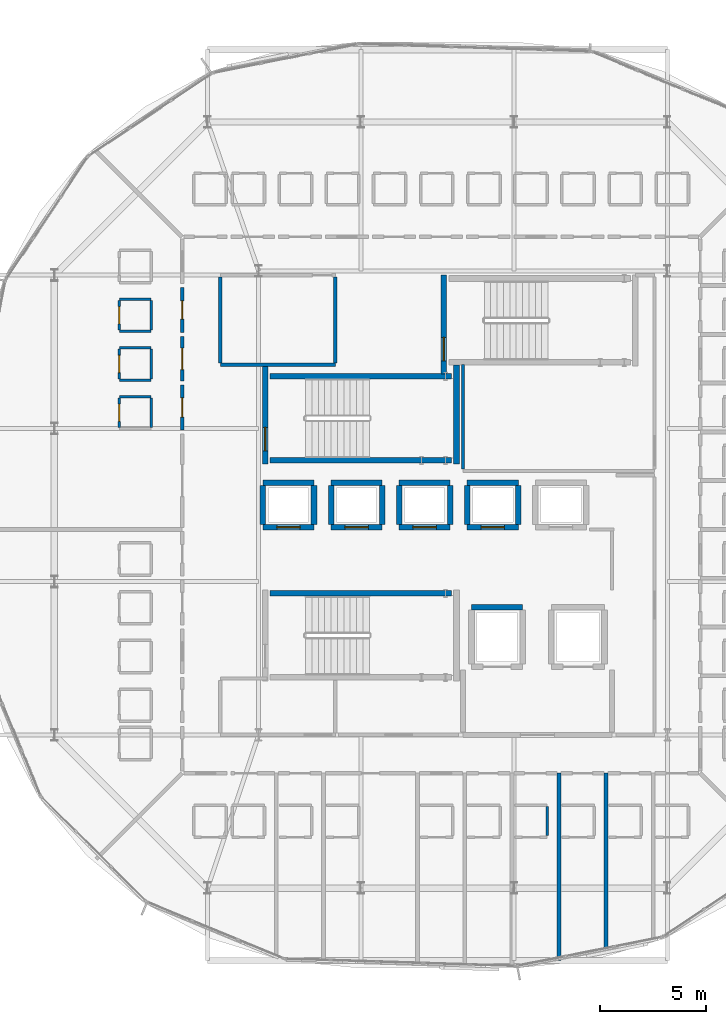
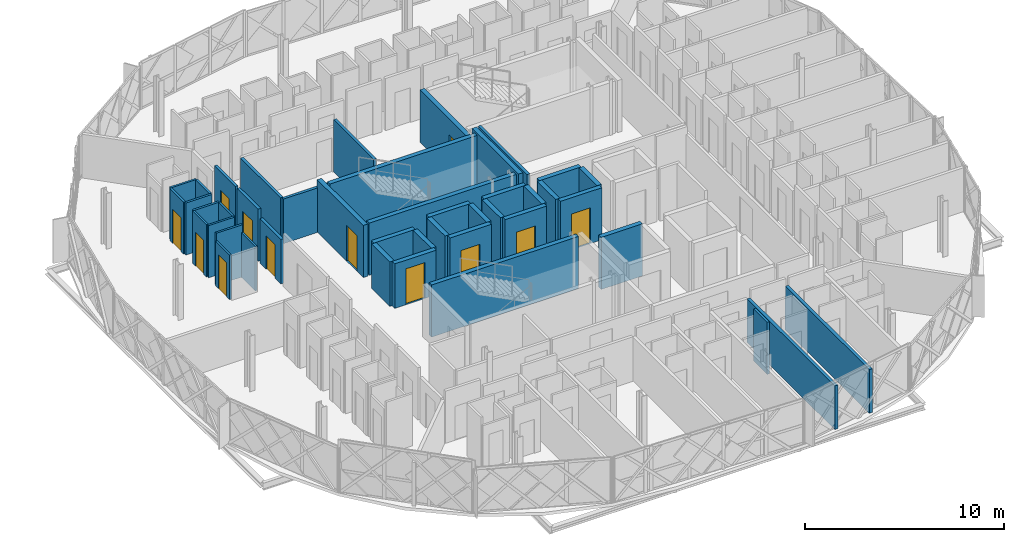
# One storey, part 40 of 50: 44 walls, 12 doors, 12 openings.
"""IFC4 building model written with IfcOpenShell, lengths in metres."""

from ifc_helpers import new_model, si_unit, direction, frame, frame_2d, origin, place, context, subcontext, project, spatial, rectangle, extrude, material, layer, layer_set, type_object, element, fill, save


model = new_model("IFC4")

# Units and contexts
model_context = context("Model", 3, precision=1e-05, world=origin(), true_north=direction((0.0, 1.0)))
body_context = subcontext(model_context, "Body", "Model", "MODEL_VIEW")
ifc_project = project(units=[si_unit("LENGTHUNIT", "METRE"), si_unit("AREAUNIT", "SQUARE_METRE"), si_unit("VOLUMEUNIT", "CUBIC_METRE"), si_unit("PLANEANGLEUNIT", "RADIAN"), si_unit("MASSUNIT", "GRAM", prefix="KILO")], contexts=[model_context])

# Site, building, storey
site_placement = place(None, origin())
site = spatial("IfcSite", under=ifc_project, at=site_placement, CompositionType="ELEMENT")
building_placement = place(site_placement, origin())
building = spatial("IfcBuilding", under=site, at=building_placement, Name="Zevrakil Square Congress Hotel", CompositionType="ELEMENT")
storey_placement = place(building_placement, frame((0.0, 0.0, 21.5)))
storey = spatial("IfcBuildingStorey", under=building, at=storey_placement, Name="L06", CompositionType="ELEMENT", Elevation=21.5)

# Walls
ifc_material_1 = material(Name="Gypsum Acoustic Stud Partition")
ifc_layer_1 = layer(ifc_material_1, 0.159912109375)
ifc_layer_set_1 = layer_set([ifc_layer_1], Name="Gypsum Acoustic Stud Partition")
wall_type_1 = type_object("IfcWallType", Name="WAL-CORR-160", PredefinedType="PARTITIONING", material=ifc_layer_set_1)
wall_1_placement = place(storey_placement, frame((135.0, 34.199951171875, 0.0), z_axis=(0.0, 0.0, 1.0), x_axis=(1.0, 0.0, 0.0)))
element("IfcWall", 1, at=wall_1_placement, inside=storey, type_object=wall_type_1, Name="L06 interior partition PW-L06-0695", PredefinedType="PARTITIONING", context=body_context, shape_type="SweptSolid", body=[
    extrude(rectangle(XDim=5.39990234375, YDim=0.159912109375, at=frame_2d((2.699951171875, 0.0))), origin(), (0.0, 0.0, 1.0), 2.72998046875),
])
wall_2_placement = place(storey_placement, frame((135.0, 34.284912109375, 0.0), z_axis=(0.0, 0.0, 1.0), x_axis=(0.0, 1.0, 0.0)))
element("IfcWall", 2, at=wall_2_placement, inside=storey, type_object=wall_type_1, Name="L06 interior partition PW-L06-0697", PredefinedType="PARTITIONING", context=body_context, shape_type="SweptSolid", body=[
    extrude(rectangle(XDim=4.030029296875, YDim=0.159912109375, at=frame_2d((2.01513671875, 0.0))), origin(), (0.0, 0.0, 1.0), 2.72998046875),
])
wall_3_placement = place(storey_placement, frame((140.39990234375, 34.284912109375, 0.0), z_axis=(0.0, 0.0, 1.0), x_axis=(0.0, 1.0, 0.0)))
element("IfcWall", 3, at=wall_3_placement, inside=storey, type_object=wall_type_1, Name="L06 interior partition PW-L06-0698", PredefinedType="PARTITIONING", context=body_context, shape_type="SweptSolid", body=[
    extrude(rectangle(XDim=4.030029296875, YDim=0.159912109375, at=frame_2d((2.01513671875, 0.0))), origin(), (0.0, 0.0, 1.0), 3.195068359375),
])
wall_4_placement = place(storey_placement, frame((146.39990234375, 29.284912109375, 0.0), z_axis=(0.0, 0.0, 1.0), x_axis=(0.0, 1.0, 0.0)))
element("IfcWall", 4, at=wall_4_placement, inside=storey, type_object=wall_type_1, Name="L06 interior partition PW-L06-0700", PredefinedType="PARTITIONING", context=body_context, shape_type="SweptSolid", body=[
    extrude(rectangle(XDim=4.9150390625, YDim=0.159912109375, at=frame_2d((2.45751953125, 0.0))), origin(), (0.0, 0.0, 1.0), 3.195068359375),
])

# Wall, opening, door
wall_5_placement = place(storey_placement, frame((133.199951171875, 35.713134765625, 0.0), z_axis=(0.0, 0.0, 1.0), x_axis=(0.0, 1.0, 0.0)))
wall_5 = element("IfcWall", 5, at=wall_5_placement, inside=storey, type_object=wall_type_1, Name="L06 interior partition PW-L06-0878", PredefinedType="PARTITIONING", context=body_context, shape_type="SweptSolid", body=[
    extrude(rectangle(XDim=2.10107421875, YDim=0.159912109375, at=frame_2d((1.050537109375, 0.0))), origin(), (0.0, 0.0, 1.0), 3.195068359375),
])
opening_1_placement = place(wall_5_placement, frame((0.623046875, 0.0, 0.0)))
opening_1 = element("IfcOpeningElement", 6, at=opening_1_placement, cuts=wall_5, Name="Opening ID-G01", PredefinedType="OPENING", context=body_context, shape_type="SweptSolid", body=[
    extrude(rectangle(XDim=0.85498046875, YDim=2.050048828125, at=frame_2d((0.427490234375, 1.02490234375))), frame((0.0, 0.08984375, 0.0), z_axis=(0.0, -1.0, 0.0), x_axis=(1.0, 0.0, 0.0)), (0.0, 0.0, 1.0), 0.179931640625),
])
ifc_material_2 = material(Name="Acoustic Timber Fire Door", Category="wood")
door_type_1 = type_object("IfcDoorType", Name="DOR-INT-G01", OperationType="NOTDEFINED", PredefinedType="DOOR", material=ifc_material_2)
door_1_placement = place(opening_1_placement, origin())
door_1 = element("IfcDoor", 7, at=door_1_placement, inside=storey, type_object=door_type_1, Name="L06 interior door 347", OperationType="SINGLE_SWING_LEFT", OverallHeight=2.050048828125, OverallWidth=0.85498046875, PredefinedType="DOOR", context=body_context, shape_type="SweptSolid", body=[
    extrude(rectangle(XDim=0.85498046875, YDim=2.050048828125, at=frame_2d((0.427490234375, 1.02490234375))), frame((0.0, 0.02490234375, 0.0), z_axis=(0.0, -1.0, 0.0), x_axis=(1.0, 0.0, 0.0)), (0.0, 0.0, 1.0), 0.050048828125),
])
fill(opening_1, door_1)

wall_6_placement = place(storey_placement, frame((133.199951171875, 33.42236328125, 0.0), z_axis=(0.0, 0.0, 1.0), x_axis=(0.0, 1.0, 0.0)))
wall_6 = element("IfcWall", 8, at=wall_6_placement, inside=storey, type_object=wall_type_1, Name="L06 interior partition PW-L06-0883", PredefinedType="PARTITIONING", context=body_context, shape_type="SweptSolid", body=[
    extrude(rectangle(XDim=2.100830078125, YDim=0.159912109375, at=frame_2d((1.05029296875, 0.0))), origin(), (0.0, 0.0, 1.0), 3.195068359375),
])
opening_2_placement = place(wall_6_placement, frame((0.54638671875, 0.0, 0.0)))
opening_2 = element("IfcOpeningElement", 9, at=opening_2_placement, cuts=wall_6, Name="Opening ID-H14", PredefinedType="OPENING", context=body_context, shape_type="SweptSolid", body=[
    extrude(rectangle(XDim=1.008056640625, YDim=2.1298828125, at=frame_2d((0.50390625, 1.06494140625))), frame((0.0, 0.08984375, 0.0), z_axis=(0.0, -1.0, 0.0), x_axis=(1.0, 0.0, 0.0)), (0.0, 0.0, 1.0), 0.179931640625),
])
ifc_material_3 = material(Name="Acoustic Timber Fire Door", Category="wood")
door_type_2 = type_object("IfcDoorType", Name="DOR-INT-H14", OperationType="NOTDEFINED", PredefinedType="DOOR", material=ifc_material_3)
door_2_placement = place(opening_2_placement, origin())
door_2 = element("IfcDoor", 10, at=door_2_placement, inside=storey, type_object=door_type_2, Name="L06 interior door 349", OperationType="SINGLE_SWING_LEFT", OverallHeight=2.1298828125, OverallWidth=1.008056640625, PredefinedType="DOOR", context=body_context, shape_type="SweptSolid", body=[
    extrude(rectangle(XDim=1.008056640625, YDim=2.1298828125, at=frame_2d((0.50390625, 1.06494140625))), frame((0.0, 0.02490234375, 0.0), z_axis=(0.0, -1.0, 0.0), x_axis=(1.0, 0.0, 0.0)), (0.0, 0.0, 1.0), 0.050048828125),
])
fill(opening_2, door_2)

wall_7_placement = place(storey_placement, frame((133.199951171875, 31.13134765625, 0.0), z_axis=(0.0, 0.0, 1.0), x_axis=(0.0, 1.0, 0.0)))
wall_7 = element("IfcWall", 11, at=wall_7_placement, inside=storey, type_object=wall_type_1, Name="L06 interior partition PW-L06-0888", PredefinedType="PARTITIONING", context=body_context, shape_type="SweptSolid", body=[
    extrude(rectangle(XDim=2.10107421875, YDim=0.159912109375, at=frame_2d((1.050537109375, 0.0))), origin(), (0.0, 0.0, 1.0), 2.72998046875),
])
opening_3_placement = place(wall_7_placement, frame((0.597900390625, 0.0, 0.0)))
opening_3 = element("IfcOpeningElement", 12, at=opening_3_placement, cuts=wall_7, Name="Opening ID-G03", PredefinedType="OPENING", context=body_context, shape_type="SweptSolid", body=[
    extrude(rectangle(XDim=0.905029296875, YDim=2.050048828125, at=frame_2d((0.45263671875, 1.02490234375))), frame((0.0, 0.08984375, 0.0), z_axis=(0.0, -1.0, 0.0), x_axis=(1.0, 0.0, 0.0)), (0.0, 0.0, 1.0), 0.179931640625),
])
ifc_material_4 = material(Name="Acoustic Timber Fire Door", Category="wood")
door_type_3 = type_object("IfcDoorType", Name="DOR-INT-G03", OperationType="NOTDEFINED", PredefinedType="DOOR", material=ifc_material_4)
door_3_placement = place(opening_3_placement, origin())
door_3 = element("IfcDoor", 13, at=door_3_placement, inside=storey, type_object=door_type_3, Name="L06 interior door 351", OperationType="SINGLE_SWING_LEFT", OverallHeight=2.050048828125, OverallWidth=0.905029296875, PredefinedType="DOOR", context=body_context, shape_type="SweptSolid", body=[
    extrude(rectangle(XDim=0.905029296875, YDim=2.050048828125, at=frame_2d((0.45263671875, 1.02490234375))), frame((0.0, 0.02490234375, 0.0), z_axis=(0.0, -1.0, 0.0), x_axis=(1.0, 0.0, 0.0)), (0.0, 0.0, 1.0), 0.050048828125),
])
fill(opening_3, door_3)

# Walls
ifc_material_5 = material(Name="Moisture-Resistant Gypsum Partition")
ifc_layer_2 = layer(ifc_material_5, 0.1201171875)
ifc_layer_set_2 = layer_set([ifc_layer_2], Name="Moisture-Resistant Gypsum Partition")
wall_type_2 = type_object("IfcWallType", Name="WAL-ENS-120", PredefinedType="PARTITIONING", material=ifc_layer_set_2)
wall_8_placement = place(storey_placement, frame((150.35546875, 12.06494140625, 0.0), z_axis=(0.0, 0.0, 1.0), x_axis=(0.0, 1.0, 0.0)))
element("IfcWall", 14, at=wall_8_placement, inside=storey, type_object=wall_type_2, Name="L06 interior partition PW-L06-0744", PredefinedType="PARTITIONING", context=body_context, shape_type="SweptSolid", body=[
    extrude(rectangle(XDim=1.3701171875, YDim=0.1201171875, at=frame_2d((0.68505859375, 0.0))), origin(), (0.0, 0.0, 1.0), 3.195068359375),
])
for number, where, z_axis, x_axis, name in (
    (15, (130.25, 35.75830078125, 0.0), (0.0, 0.0, 1.0), (1.0, 0.0, 0.0), "L06 interior partition PW-L06-0879"),
    (16, (130.25, 37.2783203125, 0.0), (0.0, 0.0, 1.0), (1.0, 0.0, 0.0), "L06 interior partition PW-L06-0880"),
):
    element("IfcWall", number, at=place(storey_placement, frame(where, z_axis=z_axis, x_axis=x_axis)), inside=storey, type_object=wall_type_2, Name=name, PredefinedType="PARTITIONING", context=body_context, shape_type="SweptSolid", body=[
        extrude(rectangle(XDim=1.5, YDim=0.1201171875, at=frame_2d((0.75, 0.0))), origin(), (0.0, 0.0, 1.0), 3.195068359375),
    ])

# Wall, opening, door
wall_9_placement = place(storey_placement, frame((130.25, 35.8232421875, 0.0), z_axis=(0.0, 0.0, 1.0), x_axis=(0.0, 1.0, 0.0)))
wall_9 = element("IfcWall", 17, at=wall_9_placement, inside=storey, type_object=wall_type_2, Name="L06 interior partition PW-L06-0881", PredefinedType="PARTITIONING", context=body_context, shape_type="SweptSolid", body=[
    extrude(rectangle(XDim=1.389892578125, YDim=0.1201171875, at=frame_2d((0.69482421875, 0.0))), origin(), (0.0, 0.0, 1.0), 3.195068359375),
])
opening_4_placement = place(wall_9_placement, frame((0.284912109375, 0.0, 0.0)))
opening_4 = element("IfcOpeningElement", 18, at=opening_4_placement, cuts=wall_9, Name="Opening ID-11", PredefinedType="OPENING", context=body_context, shape_type="SweptSolid", body=[
    extrude(rectangle(XDim=0.820068359375, YDim=2.080078125, at=frame_2d((0.41015625, 1.0400390625))), frame((0.0, 0.070068359375, 0.0), z_axis=(0.0, -1.0, 0.0), x_axis=(1.0, 0.0, 0.0)), (0.0, 0.0, 1.0), 0.14013671875),
])
ifc_material_6 = material(Name="Acoustic Timber Door", Category="wood")
door_type_4 = type_object("IfcDoorType", Name="DOR-INT-V01", OperationType="NOTDEFINED", PredefinedType="DOOR", material=ifc_material_6)
door_4_placement = place(opening_4_placement, origin())
door_4 = element("IfcDoor", 19, at=door_4_placement, inside=storey, type_object=door_type_4, Name="L06 interior door 348", OperationType="SINGLE_SWING_RIGHT", OverallHeight=2.080078125, OverallWidth=0.820068359375, PredefinedType="DOOR", context=body_context, shape_type="SweptSolid", body=[
    extrude(rectangle(XDim=0.820068359375, YDim=2.080078125, at=frame_2d((0.41015625, 1.0400390625))), frame((0.0, 0.02490234375, 0.0), z_axis=(0.0, -1.0, 0.0), x_axis=(1.0, 0.0, 0.0)), (0.0, 0.0, 1.0), 0.050048828125),
])
fill(opening_4, door_4)

# Walls
wall_10_placement = place(storey_placement, frame((131.75, 35.8232421875, 0.0), z_axis=(0.0, 0.0, 1.0), x_axis=(0.0, 1.0, 0.0)))
element("IfcWall", 20, at=wall_10_placement, inside=storey, type_object=wall_type_2, Name="L06 interior partition PW-L06-0882", PredefinedType="PARTITIONING", context=body_context, shape_type="SweptSolid", body=[
    extrude(rectangle(XDim=1.389892578125, YDim=0.1201171875, at=frame_2d((0.69482421875, 0.0))), origin(), (0.0, 0.0, 1.0), 3.195068359375),
])
for number, where, z_axis, x_axis, name in (
    (21, (130.25, 33.46728515625, 0.0), (0.0, 0.0, 1.0), (1.0, 0.0, 0.0), "L06 interior partition PW-L06-0884"),
    (22, (130.25, 34.9873046875, 0.0), (0.0, 0.0, 1.0), (1.0, 0.0, 0.0), "L06 interior partition PW-L06-0885"),
):
    element("IfcWall", number, at=place(storey_placement, frame(where, z_axis=z_axis, x_axis=x_axis)), inside=storey, type_object=wall_type_2, Name=name, PredefinedType="PARTITIONING", context=body_context, shape_type="SweptSolid", body=[
        extrude(rectangle(XDim=1.5, YDim=0.1201171875, at=frame_2d((0.75, 0.0))), origin(), (0.0, 0.0, 1.0), 3.195068359375),
    ])

# Wall, opening, door
wall_11_placement = place(storey_placement, frame((130.25, 33.5322265625, 0.0), z_axis=(0.0, 0.0, 1.0), x_axis=(0.0, 1.0, 0.0)))
wall_11 = element("IfcWall", 23, at=wall_11_placement, inside=storey, type_object=wall_type_2, Name="L06 interior partition PW-L06-0886", PredefinedType="PARTITIONING", context=body_context, shape_type="SweptSolid", body=[
    extrude(rectangle(XDim=1.39013671875, YDim=0.1201171875, at=frame_2d((0.695068359375, 0.0))), origin(), (0.0, 0.0, 1.0), 3.195068359375),
])
opening_5_placement = place(wall_11_placement, frame((0.284912109375, 0.0, 0.0)))
opening_5 = element("IfcOpeningElement", 24, at=opening_5_placement, cuts=wall_11, Name="Opening ID-11", PredefinedType="OPENING", context=body_context, shape_type="SweptSolid", body=[
    extrude(rectangle(XDim=0.820068359375, YDim=2.080078125, at=frame_2d((0.41015625, 1.0400390625))), frame((0.0, 0.070068359375, 0.0), z_axis=(0.0, -1.0, 0.0), x_axis=(1.0, 0.0, 0.0)), (0.0, 0.0, 1.0), 0.14013671875),
])
door_5_placement = place(opening_5_placement, origin())
door_5 = element("IfcDoor", 25, at=door_5_placement, inside=storey, type_object=door_type_4, Name="L06 interior door 350", OperationType="SINGLE_SWING_RIGHT", OverallHeight=2.080078125, OverallWidth=0.820068359375, PredefinedType="DOOR", context=body_context, shape_type="SweptSolid", body=[
    extrude(rectangle(XDim=0.820068359375, YDim=2.080078125, at=frame_2d((0.41015625, 1.0400390625))), frame((0.0, 0.02490234375, 0.0), z_axis=(0.0, -1.0, 0.0), x_axis=(1.0, 0.0, 0.0)), (0.0, 0.0, 1.0), 0.050048828125),
])
fill(opening_5, door_5)

# Walls
wall_12_placement = place(storey_placement, frame((131.75, 33.5322265625, 0.0), z_axis=(0.0, 0.0, 1.0), x_axis=(0.0, 1.0, 0.0)))
element("IfcWall", 26, at=wall_12_placement, inside=storey, type_object=wall_type_2, Name="L06 interior partition PW-L06-0887", PredefinedType="PARTITIONING", context=body_context, shape_type="SweptSolid", body=[
    extrude(rectangle(XDim=1.39013671875, YDim=0.1201171875, at=frame_2d((0.695068359375, 0.0))), origin(), (0.0, 0.0, 1.0), 3.195068359375),
])
wall_13_placement = place(storey_placement, frame((130.25, 32.6962890625, 0.0), z_axis=(0.0, 0.0, 1.0), x_axis=(1.0, 0.0, 0.0)))
element("IfcWall", 27, at=wall_13_placement, inside=storey, type_object=wall_type_2, Name="L06 interior partition PW-L06-0890", PredefinedType="PARTITIONING", context=body_context, shape_type="SweptSolid", body=[
    extrude(rectangle(XDim=1.5, YDim=0.1201171875, at=frame_2d((0.75, 0.0))), origin(), (0.0, 0.0, 1.0), 3.195068359375),
])

# Wall, opening, door
wall_14_placement = place(storey_placement, frame((130.25, 31.241455078125, 0.0), z_axis=(0.0, 0.0, 1.0), x_axis=(0.0, 1.0, 0.0)))
wall_14 = element("IfcWall", 28, at=wall_14_placement, inside=storey, type_object=wall_type_2, Name="L06 interior partition PW-L06-0891", PredefinedType="PARTITIONING", context=body_context, shape_type="SweptSolid", body=[
    extrude(rectangle(XDim=1.389892578125, YDim=0.1201171875, at=frame_2d((0.69482421875, 0.0))), origin(), (0.0, 0.0, 1.0), 2.72998046875),
])
opening_6_placement = place(wall_14_placement, frame((0.284912109375, 0.0, 0.0)))
opening_6 = element("IfcOpeningElement", 29, at=opening_6_placement, cuts=wall_14, Name="Opening ID-11", PredefinedType="OPENING", context=body_context, shape_type="SweptSolid", body=[
    extrude(rectangle(XDim=0.820068359375, YDim=2.080078125, at=frame_2d((0.41015625, 1.0400390625))), frame((0.0, 0.070068359375, 0.0), z_axis=(0.0, -1.0, 0.0), x_axis=(1.0, 0.0, 0.0)), (0.0, 0.0, 1.0), 0.14013671875),
])
door_6_placement = place(opening_6_placement, origin())
door_6 = element("IfcDoor", 30, at=door_6_placement, inside=storey, type_object=door_type_4, Name="L06 interior door 352", OperationType="SINGLE_SWING_RIGHT", OverallHeight=2.080078125, OverallWidth=0.820068359375, PredefinedType="DOOR", context=body_context, shape_type="SweptSolid", body=[
    extrude(rectangle(XDim=0.820068359375, YDim=2.080078125, at=frame_2d((0.41015625, 1.0400390625))), frame((0.0, 0.02490234375, 0.0), z_axis=(0.0, -1.0, 0.0), x_axis=(1.0, 0.0, 0.0)), (0.0, 0.0, 1.0), 0.050048828125),
])
fill(opening_6, door_6)

# Walls
wall_15_placement = place(storey_placement, frame((131.75, 31.241455078125, 0.0), z_axis=(0.0, 0.0, 1.0), x_axis=(0.0, 1.0, 0.0)))
element("IfcWall", 31, at=wall_15_placement, inside=storey, type_object=wall_type_2, Name="L06 interior partition PW-L06-0892", PredefinedType="PARTITIONING", context=body_context, shape_type="SweptSolid", body=[
    extrude(rectangle(XDim=1.389892578125, YDim=0.1201171875, at=frame_2d((0.69482421875, 0.0))), origin(), (0.0, 0.0, 1.0), 2.72998046875),
])
ifc_material_7 = material(Name="Gypsum Twin-Stud Party Partition")
ifc_layer_3 = layer(ifc_material_7, 0.179931640625)
ifc_layer_set_3 = layer_set([ifc_layer_3], Name="Gypsum Twin-Stud Party Partition")
wall_type_3 = type_object("IfcWallType", Name="WAL-PARTY-180", PredefinedType="PARTITIONING", material=ifc_layer_set_3)
wall_16_placement = place(storey_placement, frame((150.9091796875, 6.189697265625, 0.0), z_axis=(0.0, 0.0, 1.0), x_axis=(0.0, 1.0, 0.0)))
element("IfcWall", 32, at=wall_16_placement, inside=storey, type_object=wall_type_3, Name="L06 interior partition PW-L06-0745", PredefinedType="PARTITIONING", context=body_context, shape_type="SweptSolid", body=[
    extrude(rectangle(XDim=8.810302734375, YDim=0.179931640625, at=frame_2d((4.4052734375, 0.0))), origin(), (0.0, 0.0, 1.0), 2.679931640625),
])
wall_17_placement = place(storey_placement, frame((153.122802734375, 6.560302734375, 0.0), z_axis=(0.0, 0.0, 1.0), x_axis=(0.0, 1.0, 0.0)))
element("IfcWall", 33, at=wall_17_placement, inside=storey, type_object=wall_type_3, Name="L06 interior partition PW-L06-0750", PredefinedType="PARTITIONING", context=body_context, shape_type="SweptSolid", body=[
    extrude(rectangle(XDim=8.439697265625, YDim=0.179931640625, at=frame_2d((4.2197265625, 0.0))), origin(), (0.0, 0.0, 1.0), 2.679931640625),
])
ifc_material_8 = material(Name="Concrete C40/50", Category="concrete")
ifc_layer_4 = layer(ifc_material_8, 0.260009765625)
ifc_layer_set_4 = layer_set([ifc_layer_4], Name="Concrete C40/50")
wall_type_4 = type_object("IfcWallType", Name="WAL-SHAFT-260", PredefinedType="SHEAR", material=ifc_layer_set_4)
wall_18_placement = place(storey_placement, frame((137.340087890625, 23.445068359375, 0.0), z_axis=(0.0, 0.0, 1.0), x_axis=(1.0, 0.0, 0.0)))
element("IfcWall", 34, at=wall_18_placement, inside=storey, type_object=wall_type_4, Name="L06 ST01 stair shaft N wall", PredefinedType="SHEAR", context=body_context, shape_type="SweptSolid", body=[
    extrude(rectangle(XDim=8.52001953125, YDim=0.260009765625, at=frame_2d((4.260009765625, 0.0))), origin(), (0.0, 0.0, 1.0), 3.195068359375),
])

# Wall, opening, door
wall_19_placement = place(storey_placement, frame((137.10498046875, 29.5400390625, 0.0), z_axis=(0.0, 0.0, 1.0), x_axis=(0.0, 1.0, 0.0)))
wall_19 = element("IfcWall", 35, at=wall_19_placement, inside=storey, type_object=wall_type_4, Name="L06 ST02 stair shaft W wall", PredefinedType="SHEAR", context=body_context, shape_type="SweptSolid", body=[
    extrude(rectangle(XDim=4.635009765625, YDim=0.260009765625, at=frame_2d((2.3173828125, 0.0))), origin(), (0.0, 0.0, 1.0), 3.195068359375),
])
opening_7_placement = place(wall_19_placement, frame((0.610107421875, 0.0, 0.0)))
opening_7 = element("IfcOpeningElement", 36, at=opening_7_placement, cuts=wall_19, Name="Opening SD-ST02", PredefinedType="OPENING", context=body_context, shape_type="SweptSolid", body=[
    extrude(rectangle(XDim=1.10009765625, YDim=2.199951171875, at=frame_2d((0.550048828125, 1.10009765625))), frame((0.0, 0.14013671875, 0.0), z_axis=(0.0, -1.0, 0.0), x_axis=(1.0, 0.0, 0.0)), (0.0, 0.0, 1.0), 0.280029296875),
])
ifc_material_9 = material(Name="Steel S355 Fire-Rated Door", Category="steel")
door_type_5 = type_object("IfcDoorType", Name="DOR-STAIR-FD90-110", OperationType="NOTDEFINED", PredefinedType="DOOR", material=ifc_material_9)
door_7_placement = place(opening_7_placement, origin())
door_7 = element("IfcDoor", 37, at=door_7_placement, inside=storey, type_object=door_type_5, Name="L06 ST02 protected stair fire door", OperationType="SINGLE_SWING_LEFT", OverallHeight=2.199951171875, OverallWidth=1.10009765625, PredefinedType="DOOR", context=body_context, shape_type="SweptSolid", body=[
    extrude(rectangle(XDim=1.10009765625, YDim=2.199951171875, at=frame_2d((0.550048828125, 1.10009765625))), frame((0.0, 0.02490234375, 0.0), z_axis=(0.0, -1.0, 0.0), x_axis=(1.0, 0.0, 0.0)), (0.0, 0.0, 1.0), 0.050048828125),
])
fill(opening_7, door_7)

# Walls
wall_20_placement = place(storey_placement, frame((146.094970703125, 29.5400390625, 0.0), z_axis=(0.0, 0.0, 1.0), x_axis=(0.0, 1.0, 0.0)))
element("IfcWall", 38, at=wall_20_placement, inside=storey, type_object=wall_type_4, Name="L06 ST02 stair shaft E wall", PredefinedType="SHEAR", context=body_context, shape_type="SweptSolid", body=[
    extrude(rectangle(XDim=4.635009765625, YDim=0.260009765625, at=frame_2d((2.3173828125, 0.0))), origin(), (0.0, 0.0, 1.0), 3.195068359375),
])
for number, where, z_axis, x_axis, name in (
    (39, (137.340087890625, 29.705078125, 0.0), (0.0, 0.0, 1.0), (1.0, 0.0, 0.0), "L06 ST02 stair shaft S wall"),
    (40, (137.340087890625, 33.64501953125, 0.0), (0.0, 0.0, 1.0), (1.0, 0.0, 0.0), "L06 ST02 stair shaft N wall"),
):
    element("IfcWall", number, at=place(storey_placement, frame(where, z_axis=z_axis, x_axis=x_axis)), inside=storey, type_object=wall_type_4, Name=name, PredefinedType="SHEAR", context=body_context, shape_type="SweptSolid", body=[
        extrude(rectangle(XDim=8.52001953125, YDim=0.260009765625, at=frame_2d((4.260009765625, 0.0))), origin(), (0.0, 0.0, 1.0), 3.195068359375),
    ])

# Wall, opening, door
wall_21_placement = place(storey_placement, frame((145.5048828125, 33.764892578125, 0.0), z_axis=(0.0, 0.0, 1.0), x_axis=(0.0, 1.0, 0.0)))
wall_21 = element("IfcWall", 41, at=wall_21_placement, inside=storey, type_object=wall_type_4, Name="L06 ST03 stair shaft W wall", PredefinedType="SHEAR", context=body_context, shape_type="SweptSolid", body=[
    extrude(rectangle(XDim=4.64501953125, YDim=0.260009765625, at=frame_2d((2.322509765625, 0.0))), origin(), (0.0, 0.0, 1.0), 3.195068359375),
])
opening_8_placement = place(wall_21_placement, frame((0.610107421875, 0.0, 0.0)))
opening_8 = element("IfcOpeningElement", 42, at=opening_8_placement, cuts=wall_21, Name="Opening SD-ST03", PredefinedType="OPENING", context=body_context, shape_type="SweptSolid", body=[
    extrude(rectangle(XDim=1.10009765625, YDim=2.199951171875, at=frame_2d((0.550048828125, 1.10009765625))), frame((0.0, 0.14013671875, 0.0), z_axis=(0.0, -1.0, 0.0), x_axis=(1.0, 0.0, 0.0)), (0.0, 0.0, 1.0), 0.280029296875),
])
door_8_placement = place(opening_8_placement, origin())
door_8 = element("IfcDoor", 43, at=door_8_placement, inside=storey, type_object=door_type_5, Name="L06 ST03 protected stair fire door", OperationType="SINGLE_SWING_LEFT", OverallHeight=2.199951171875, OverallWidth=1.10009765625, PredefinedType="DOOR", context=body_context, shape_type="SweptSolid", body=[
    extrude(rectangle(XDim=1.10009765625, YDim=2.199951171875, at=frame_2d((0.550048828125, 1.10009765625))), frame((0.0, 0.02490234375, 0.0), z_axis=(0.0, -1.0, 0.0), x_axis=(1.0, 0.0, 0.0)), (0.0, 0.0, 1.0), 0.050048828125),
])
fill(opening_8, door_8)

wall_22_placement = place(storey_placement, frame((137.0, 26.550048828125, 0.0), z_axis=(0.0, 0.0, 1.0), x_axis=(1.0, 0.0, 0.0)))
wall_22 = element("IfcWall", 44, at=wall_22_placement, inside=storey, type_object=wall_type_4, Name="L06 HL1 lift shaft wall", PredefinedType="SHEAR", context=body_context, shape_type="SweptSolid", body=[
    extrude(rectangle(XDim=2.39990234375, YDim=0.260009765625, at=frame_2d((1.199951171875, 0.0))), origin(), (0.0, 0.0, 1.0), 2.72998046875),
])
opening_9_placement = place(wall_22_placement, frame((0.64990234375, 0.0, 0.0)))
opening_9 = element("IfcOpeningElement", 45, at=opening_9_placement, cuts=wall_22, Name="Opening LD-HL1", PredefinedType="OPENING", context=body_context, shape_type="SweptSolid", body=[
    extrude(rectangle(XDim=1.10009765625, YDim=2.199951171875, at=frame_2d((0.550048828125, 1.10009765625))), frame((0.0, 0.14013671875, 0.0), z_axis=(0.0, -1.0, 0.0), x_axis=(1.0, 0.0, 0.0)), (0.0, 0.0, 1.0), 0.280029296875),
])
ifc_material_10 = material(Name="Stainless Steel Sliding Lift Landing Door", Category="steel")
door_type_6 = type_object("IfcDoorType", Name="DOR-LIFT-LD110", OperationType="NOTDEFINED", PredefinedType="DOOR", material=ifc_material_10)
door_9_placement = place(opening_9_placement, origin())
door_9 = element("IfcDoor", 46, at=door_9_placement, inside=storey, type_object=door_type_6, Name="L06 HL1 sliding lift landing door", OperationType="SLIDING_TO_LEFT", OverallHeight=2.199951171875, OverallWidth=1.10009765625, PredefinedType="DOOR", context=body_context, shape_type="SweptSolid", body=[
    extrude(rectangle(XDim=1.10009765625, YDim=2.199951171875, at=frame_2d((0.550048828125, 1.10009765625))), frame((0.0, 0.02490234375, 0.0), z_axis=(0.0, -1.0, 0.0), x_axis=(1.0, 0.0, 0.0)), (0.0, 0.0, 1.0), 0.050048828125),
])
fill(opening_9, door_9)

# Walls
wall_23_placement = place(storey_placement, frame((137.0, 28.64990234375, 0.0), z_axis=(0.0, 0.0, 1.0), x_axis=(1.0, 0.0, 0.0)))
element("IfcWall", 47, at=wall_23_placement, inside=storey, type_object=wall_type_4, Name="L06 HL1 lift shaft wall", PredefinedType="SHEAR", context=body_context, shape_type="SweptSolid", body=[
    extrude(rectangle(XDim=2.39990234375, YDim=0.260009765625, at=frame_2d((1.199951171875, 0.0))), origin(), (0.0, 0.0, 1.0), 2.72998046875),
])
for number, where, z_axis, x_axis, name in (
    (48, (137.0, 26.68994140625, 0.0), (0.0, 0.0, 1.0), (0.0, 1.0, 0.0), "L06 HL1 lift shaft wall"),
    (49, (139.39990234375, 26.68994140625, 0.0), (0.0, 0.0, 1.0), (0.0, 1.0, 0.0), "L06 HL1 lift shaft wall"),
):
    element("IfcWall", number, at=place(storey_placement, frame(where, z_axis=z_axis, x_axis=x_axis)), inside=storey, type_object=wall_type_4, Name=name, PredefinedType="SHEAR", context=body_context, shape_type="SweptSolid", body=[
        extrude(rectangle(XDim=1.820068359375, YDim=0.260009765625, at=frame_2d((0.91015625, 0.0))), origin(), (0.0, 0.0, 1.0), 2.72998046875),
    ])

# Wall, opening, door
wall_24_placement = place(storey_placement, frame((140.199951171875, 26.550048828125, 0.0), z_axis=(0.0, 0.0, 1.0), x_axis=(1.0, 0.0, 0.0)))
wall_24 = element("IfcWall", 50, at=wall_24_placement, inside=storey, type_object=wall_type_4, Name="L06 HL2 lift shaft wall", PredefinedType="SHEAR", context=body_context, shape_type="SweptSolid", body=[
    extrude(rectangle(XDim=2.400146484375, YDim=0.260009765625, at=frame_2d((1.2001953125, 0.0))), origin(), (0.0, 0.0, 1.0), 3.195068359375),
])
opening_10_placement = place(wall_24_placement, frame((0.64990234375, 0.0, 0.0)))
opening_10 = element("IfcOpeningElement", 51, at=opening_10_placement, cuts=wall_24, Name="Opening LD-HL2", PredefinedType="OPENING", context=body_context, shape_type="SweptSolid", body=[
    extrude(rectangle(XDim=1.10009765625, YDim=2.199951171875, at=frame_2d((0.550048828125, 1.10009765625))), frame((0.0, 0.14013671875, 0.0), z_axis=(0.0, -1.0, 0.0), x_axis=(1.0, 0.0, 0.0)), (0.0, 0.0, 1.0), 0.280029296875),
])
door_10_placement = place(opening_10_placement, origin())
door_10 = element("IfcDoor", 52, at=door_10_placement, inside=storey, type_object=door_type_6, Name="L06 HL2 sliding lift landing door", OperationType="SLIDING_TO_RIGHT", OverallHeight=2.199951171875, OverallWidth=1.10009765625, PredefinedType="DOOR", context=body_context, shape_type="SweptSolid", body=[
    extrude(rectangle(XDim=1.10009765625, YDim=2.199951171875, at=frame_2d((0.550048828125, 1.10009765625))), frame((0.0, 0.02490234375, 0.0), z_axis=(0.0, -1.0, 0.0), x_axis=(1.0, 0.0, 0.0)), (0.0, 0.0, 1.0), 0.050048828125),
])
fill(opening_10, door_10)

# Walls
wall_25_placement = place(storey_placement, frame((140.199951171875, 28.64990234375, 0.0), z_axis=(0.0, 0.0, 1.0), x_axis=(1.0, 0.0, 0.0)))
element("IfcWall", 53, at=wall_25_placement, inside=storey, type_object=wall_type_4, Name="L06 HL2 lift shaft wall", PredefinedType="SHEAR", context=body_context, shape_type="SweptSolid", body=[
    extrude(rectangle(XDim=2.400146484375, YDim=0.260009765625, at=frame_2d((1.2001953125, 0.0))), origin(), (0.0, 0.0, 1.0), 3.195068359375),
])
for number, where, z_axis, x_axis, name in (
    (54, (140.199951171875, 26.68994140625, 0.0), (0.0, 0.0, 1.0), (0.0, 1.0, 0.0), "L06 HL2 lift shaft wall"),
    (55, (142.60009765625, 26.68994140625, 0.0), (0.0, 0.0, 1.0), (0.0, 1.0, 0.0), "L06 HL2 lift shaft wall"),
):
    element("IfcWall", number, at=place(storey_placement, frame(where, z_axis=z_axis, x_axis=x_axis)), inside=storey, type_object=wall_type_4, Name=name, PredefinedType="SHEAR", context=body_context, shape_type="SweptSolid", body=[
        extrude(rectangle(XDim=1.820068359375, YDim=0.260009765625, at=frame_2d((0.91015625, 0.0))), origin(), (0.0, 0.0, 1.0), 3.195068359375),
    ])

# Wall, opening, door
wall_26_placement = place(storey_placement, frame((143.39990234375, 26.550048828125, 0.0), z_axis=(0.0, 0.0, 1.0), x_axis=(1.0, 0.0, 0.0)))
wall_26 = element("IfcWall", 56, at=wall_26_placement, inside=storey, type_object=wall_type_4, Name="L06 HL3 lift shaft wall", PredefinedType="SHEAR", context=body_context, shape_type="SweptSolid", body=[
    extrude(rectangle(XDim=2.400146484375, YDim=0.260009765625, at=frame_2d((1.2001953125, 0.0))), origin(), (0.0, 0.0, 1.0), 3.195068359375),
])
opening_11_placement = place(wall_26_placement, frame((0.64990234375, 0.0, 0.0)))
opening_11 = element("IfcOpeningElement", 57, at=opening_11_placement, cuts=wall_26, Name="Opening LD-HL3", PredefinedType="OPENING", context=body_context, shape_type="SweptSolid", body=[
    extrude(rectangle(XDim=1.10009765625, YDim=2.199951171875, at=frame_2d((0.550048828125, 1.10009765625))), frame((0.0, 0.14013671875, 0.0), z_axis=(0.0, -1.0, 0.0), x_axis=(1.0, 0.0, 0.0)), (0.0, 0.0, 1.0), 0.280029296875),
])
door_11_placement = place(opening_11_placement, origin())
door_11 = element("IfcDoor", 58, at=door_11_placement, inside=storey, type_object=door_type_6, Name="L06 HL3 sliding lift landing door", OperationType="SLIDING_TO_LEFT", OverallHeight=2.199951171875, OverallWidth=1.10009765625, PredefinedType="DOOR", context=body_context, shape_type="SweptSolid", body=[
    extrude(rectangle(XDim=1.10009765625, YDim=2.199951171875, at=frame_2d((0.550048828125, 1.10009765625))), frame((0.0, 0.02490234375, 0.0), z_axis=(0.0, -1.0, 0.0), x_axis=(1.0, 0.0, 0.0)), (0.0, 0.0, 1.0), 0.050048828125),
])
fill(opening_11, door_11)

# Walls
wall_27_placement = place(storey_placement, frame((143.39990234375, 28.64990234375, 0.0), z_axis=(0.0, 0.0, 1.0), x_axis=(1.0, 0.0, 0.0)))
element("IfcWall", 59, at=wall_27_placement, inside=storey, type_object=wall_type_4, Name="L06 HL3 lift shaft wall", PredefinedType="SHEAR", context=body_context, shape_type="SweptSolid", body=[
    extrude(rectangle(XDim=2.400146484375, YDim=0.260009765625, at=frame_2d((1.2001953125, 0.0))), origin(), (0.0, 0.0, 1.0), 3.195068359375),
])
for number, where, z_axis, x_axis, name in (
    (60, (143.39990234375, 26.68994140625, 0.0), (0.0, 0.0, 1.0), (0.0, 1.0, 0.0), "L06 HL3 lift shaft wall"),
    (61, (145.800048828125, 26.68994140625, 0.0), (0.0, 0.0, 1.0), (0.0, 1.0, 0.0), "L06 HL3 lift shaft wall"),
):
    element("IfcWall", number, at=place(storey_placement, frame(where, z_axis=z_axis, x_axis=x_axis)), inside=storey, type_object=wall_type_4, Name=name, PredefinedType="SHEAR", context=body_context, shape_type="SweptSolid", body=[
        extrude(rectangle(XDim=1.820068359375, YDim=0.260009765625, at=frame_2d((0.91015625, 0.0))), origin(), (0.0, 0.0, 1.0), 3.195068359375),
    ])

# Wall, opening, door
wall_28_placement = place(storey_placement, frame((146.60009765625, 26.550048828125, 0.0), z_axis=(0.0, 0.0, 1.0), x_axis=(1.0, 0.0, 0.0)))
wall_28 = element("IfcWall", 62, at=wall_28_placement, inside=storey, type_object=wall_type_4, Name="L06 HL4 lift shaft wall", PredefinedType="SHEAR", context=body_context, shape_type="SweptSolid", body=[
    extrude(rectangle(XDim=2.39990234375, YDim=0.260009765625, at=frame_2d((1.199951171875, 0.0))), origin(), (0.0, 0.0, 1.0), 3.195068359375),
])
opening_12_placement = place(wall_28_placement, frame((0.64990234375, 0.0, 0.0)))
opening_12 = element("IfcOpeningElement", 63, at=opening_12_placement, cuts=wall_28, Name="Opening LD-HL4", PredefinedType="OPENING", context=body_context, shape_type="SweptSolid", body=[
    extrude(rectangle(XDim=1.10009765625, YDim=2.199951171875, at=frame_2d((0.550048828125, 1.10009765625))), frame((0.0, 0.14013671875, 0.0), z_axis=(0.0, -1.0, 0.0), x_axis=(1.0, 0.0, 0.0)), (0.0, 0.0, 1.0), 0.280029296875),
])
door_12_placement = place(opening_12_placement, origin())
door_12 = element("IfcDoor", 64, at=door_12_placement, inside=storey, type_object=door_type_6, Name="L06 HL4 sliding lift landing door", OperationType="SLIDING_TO_RIGHT", OverallHeight=2.199951171875, OverallWidth=1.10009765625, PredefinedType="DOOR", context=body_context, shape_type="SweptSolid", body=[
    extrude(rectangle(XDim=1.10009765625, YDim=2.199951171875, at=frame_2d((0.550048828125, 1.10009765625))), frame((0.0, 0.02490234375, 0.0), z_axis=(0.0, -1.0, 0.0), x_axis=(1.0, 0.0, 0.0)), (0.0, 0.0, 1.0), 0.050048828125),
])
fill(opening_12, door_12)

# Walls
wall_29_placement = place(storey_placement, frame((146.60009765625, 28.64990234375, 0.0), z_axis=(0.0, 0.0, 1.0), x_axis=(1.0, 0.0, 0.0)))
element("IfcWall", 65, at=wall_29_placement, inside=storey, type_object=wall_type_4, Name="L06 HL4 lift shaft wall", PredefinedType="SHEAR", context=body_context, shape_type="SweptSolid", body=[
    extrude(rectangle(XDim=2.39990234375, YDim=0.260009765625, at=frame_2d((1.199951171875, 0.0))), origin(), (0.0, 0.0, 1.0), 3.195068359375),
])
for number, where, z_axis, x_axis, name in (
    (66, (146.60009765625, 26.68994140625, 0.0), (0.0, 0.0, 1.0), (0.0, 1.0, 0.0), "L06 HL4 lift shaft wall"),
    (67, (149.0, 26.68994140625, 0.0), (0.0, 0.0, 1.0), (0.0, 1.0, 0.0), "L06 HL4 lift shaft wall"),
):
    element("IfcWall", number, at=place(storey_placement, frame(where, z_axis=z_axis, x_axis=x_axis)), inside=storey, type_object=wall_type_4, Name=name, PredefinedType="SHEAR", context=body_context, shape_type="SweptSolid", body=[
        extrude(rectangle(XDim=1.820068359375, YDim=0.260009765625, at=frame_2d((0.91015625, 0.0))), origin(), (0.0, 0.0, 1.0), 3.195068359375),
    ])
wall_30_placement = place(storey_placement, frame((146.800048828125, 22.800048828125, 0.0), z_axis=(0.0, 0.0, 1.0), x_axis=(1.0, 0.0, 0.0)))
element("IfcWall", 68, at=wall_30_placement, inside=storey, type_object=wall_type_4, Name="L06 FFL1 lift shaft wall", PredefinedType="SHEAR", context=body_context, shape_type="SweptSolid", body=[
    extrude(rectangle(XDim=2.39990234375, YDim=0.260009765625, at=frame_2d((1.199951171875, 0.0))), origin(), (0.0, 0.0, 1.0), 3.195068359375),
])

save(model, "model.ifc")
